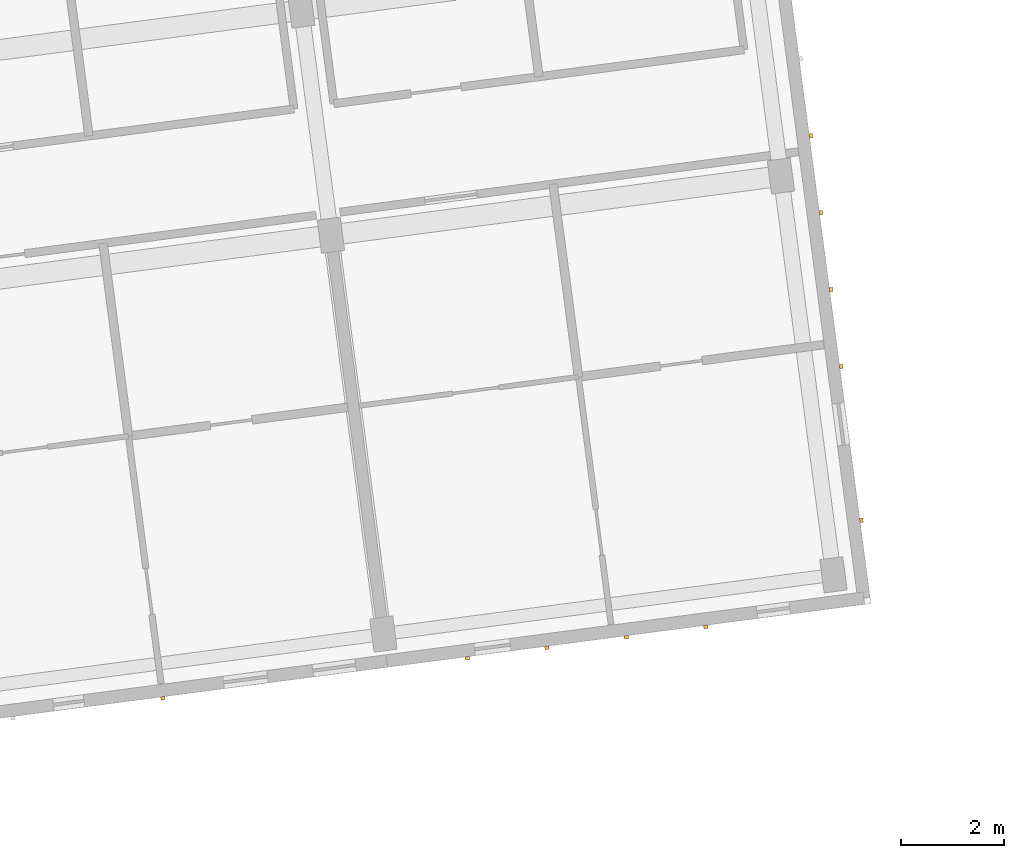
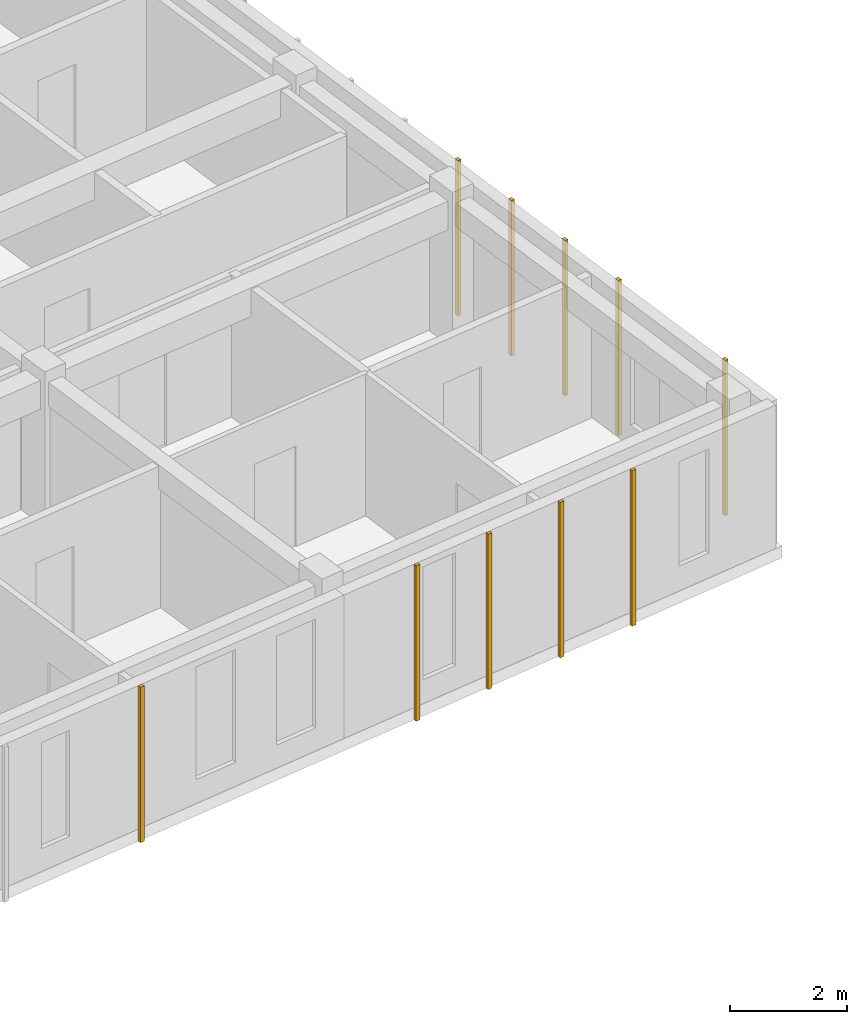
# One storey, part 35 of 45: 10 coverings.
"""IFC4 building model written with IfcOpenShell, lengths in metres."""

from ifc_helpers import new_model, si_unit, direction, frame, origin, origin_2d, place, context, subcontext, project, spatial, rectangle, extrude, material, layer, layer_set, type_object, element, save


model = new_model("IFC4")

# Units and contexts
model_context = context("Model", 3, precision=1e-05, world=origin(), true_north=direction((0.0, 1.0)))
body_context = subcontext(model_context, "Body", "Model", "MODEL_VIEW")
ifc_project = project(units=[si_unit("LENGTHUNIT", "METRE"), si_unit("AREAUNIT", "SQUARE_METRE"), si_unit("VOLUMEUNIT", "CUBIC_METRE"), si_unit("PLANEANGLEUNIT", "RADIAN"), si_unit("MASSUNIT", "GRAM", prefix="KILO")], contexts=[model_context])

# Site, building, storey
site_placement = place(None, origin())
site = spatial("IfcSite", under=ifc_project, at=site_placement, CompositionType="ELEMENT")
building_placement = place(site_placement, origin())
building = spatial("IfcBuilding", under=site, at=building_placement, Name="Kestramere Prow Commons", CompositionType="ELEMENT")
storey_placement = place(building_placement, frame((0.0, 0.0, 31.14990234375)))
storey = spatial("IfcBuildingStorey", under=building, at=storey_placement, Name="L09", CompositionType="ELEMENT", Elevation=31.14990234375)

# Coverings
ifc_material = material(Name="Weathered Zinc-Titanium Standing-Seam Cladding")
ifc_layer = layer(ifc_material, 0.074951171875)
ifc_layer_set = layer_set([ifc_layer], Name="Weathered Zinc-Titanium Standing-Seam Cladding")
covering_type = type_object("IfcCoveringType", Name="COV-CLAD-SEAM", PredefinedType="CLADDING", material=ifc_layer_set)
for number, where, z_axis, x_axis, name in (
    (1, (50.549560546875, 76.4970703125, -0.25), (0.0, 0.0, 1.0), (-0.991444861374, -0.13052619222, 0.0), "EW-A-L09-S-4 Standing-Seam Rib 3"),
    (2, (61.075439453125, 77.8828125, -0.25), (0.0, 0.0, 1.0), (-0.991444861374, -0.13052619222, 0.0), "EW-A-L09-S-5 Standing-Seam Rib 2"),
    (3, (59.53466796875, 77.679931640625, -0.25), (0.0, 0.0, 1.0), (-0.991444861374, -0.13052619222, 0.0), "EW-A-L09-S-5 Standing-Seam Rib 3"),
    (4, (57.99365234375, 77.47705078125, -0.25), (0.0, 0.0, 1.0), (-0.991444861374, -0.13052619222, 0.0), "EW-A-L09-S-5 Standing-Seam Rib 4"),
    (5, (56.452880859375, 77.2744140625, -0.25), (0.0, 0.0, 1.0), (-0.991444861374, -0.13052619222, 0.0), "EW-A-L09-S-5 Standing-Seam Rib 5"),
    (6, (63.111083984375, 87.404052734375, -0.25), (0.0, 0.0, 1.0), (0.13052619222, -0.991444861374, 0.0), "EW-A-L09-EAV Standing-Seam Rib 8"),
    (7, (63.30712890625, 85.913330078125, -0.25), (0.0, 0.0, 1.0), (0.13052619222, -0.991444861374, 0.0), "EW-A-L09-EAV Standing-Seam Rib 9"),
    (8, (63.50341796875, 84.422607421875, -0.25), (0.0, 0.0, 1.0), (0.13052619222, -0.991444861374, 0.0), "EW-A-L09-EAV Standing-Seam Rib 10"),
    (9, (63.69970703125, 82.931884765625, -0.25), (0.0, 0.0, 1.0), (0.13052619222, -0.991444861374, 0.0), "EW-A-L09-EAV Standing-Seam Rib 11"),
    (10, (64.09228515625, 79.950439453125, -0.25), (0.0, 0.0, 1.0), (0.13052619222, -0.991444861374, 0.0), "EW-A-L09-EAV Standing-Seam Rib 13"),
):
    element("IfcCovering", number, at=place(storey_placement, frame(where, z_axis=z_axis, x_axis=x_axis)), inside=storey, type_object=covering_type, Name=name, PredefinedType="CLADDING", context=body_context, shape_type="SweptSolid", body=[
        extrude(rectangle(XDim=0.0849609375, YDim=0.06494140625, at=origin_2d()), origin(), (0.0, 0.0, 1.0), 3.25),
    ])

save(model, "model.ifc")
